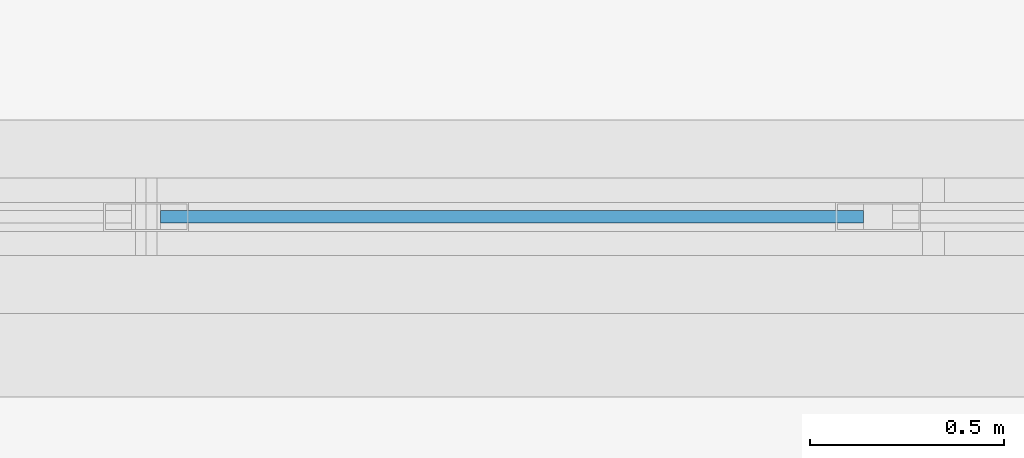
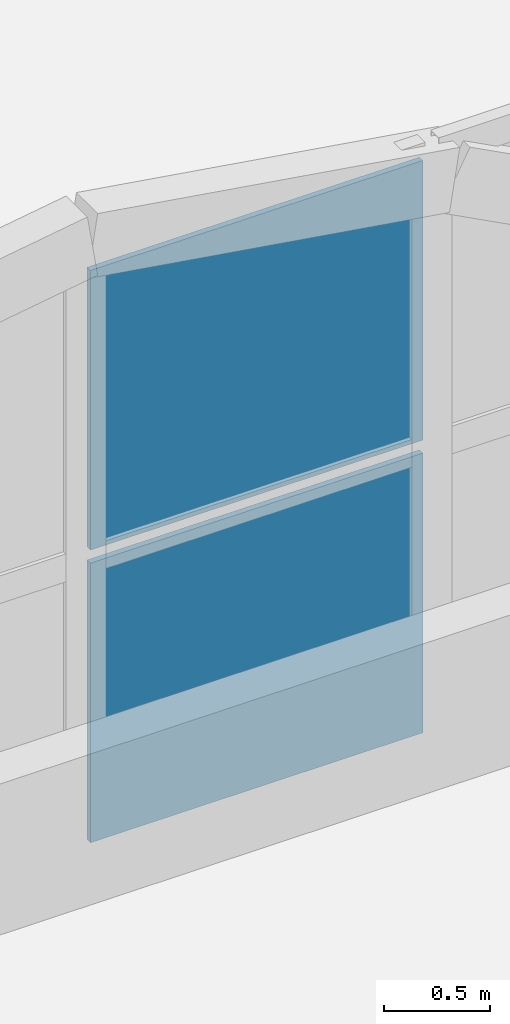
# One storey, part 84 of 129: 2 plates, 1 element without a shape of its own.
"""IFC4 building model written with IfcOpenShell, lengths in metres."""

from ifc_helpers import new_model, si_unit, direction, frame, origin, origin_2d, place, context, subcontext, project, spatial, rectangle, extrude, material, layer, layer_set, type_object, element, aggregate, save


model = new_model("IFC4")

# Units and contexts
model_context = context("Model", 3, precision=1e-05, world=origin(), true_north=direction((0.0, 1.0)))
body_context = subcontext(model_context, "Body", "Model", "MODEL_VIEW")
ifc_project = project(units=[si_unit("LENGTHUNIT", "METRE"), si_unit("AREAUNIT", "SQUARE_METRE"), si_unit("VOLUMEUNIT", "CUBIC_METRE"), si_unit("PLANEANGLEUNIT", "RADIAN"), si_unit("MASSUNIT", "GRAM", prefix="KILO")], contexts=[model_context])

# Site, building, storey
site_placement = place(None, origin())
site = spatial("IfcSite", under=ifc_project, at=site_placement, CompositionType="ELEMENT")
building_placement = place(site_placement, origin())
building = spatial("IfcBuilding", under=site, at=building_placement, Name="Xazarin Passage Department Store", CompositionType="ELEMENT")
storey_placement = place(building_placement, frame((0.0, 0.0, 9.89990234375)))
storey = spatial("IfcBuildingStorey", under=building, at=storey_placement, Name="L02", CompositionType="ELEMENT", Elevation=9.89990234375)

# Curtain wall, plates
ifc_material_1 = material(Name="Bronze anodised aluminium", Category="aluminium")
ifc_layer_1 = layer(ifc_material_1, 0.199951171875)
ifc_layer_set_1 = layer_set([ifc_layer_1], Name="Bronze anodised aluminium")
curtain_wall_type = type_object("IfcCurtainWallType", Name="ARC-CW-VIT2", PredefinedType="NOTDEFINED", material=ifc_layer_set_1)
curtain_wall_placement = place(storey_placement, origin())
curtain_wall = element("IfcCurtainWall", 1, at=curtain_wall_placement, inside=storey, type_object=curtain_wall_type, Name="L02 V1 Curtain Wall 030", PredefinedType="NOTDEFINED")
ifc_material_2 = material(Name="Low-E laminated safety glass", Category="glass")
ifc_layer_2 = layer(ifc_material_2, 0.031982421875)
ifc_layer_set_2 = layer_set([ifc_layer_2], Name="Low-E laminated safety glass")
plate_type = type_object("IfcPlateType", Name="ARC-CWP-GLZ32", PredefinedType="CURTAIN_PANEL", material=ifc_layer_set_2)
plate_1_placement = place(storey_placement, frame((13.543701171875, 59.60009765625, 0.0751953125), z_axis=(0.0, 0.0, 1.0), x_axis=(1.0, 0.0, 0.0)))
plate_1 = element("IfcPlate", 2, at=plate_1_placement, type_object=plate_type, Name="CW2 panel 3.1", PredefinedType="CURTAIN_PANEL", context=body_context, shape_type="SweptSolid", body=[
    extrude(rectangle(XDim=1.8125, YDim=0.031982421875, at=origin_2d()), origin(), (0.0, 0.0, 1.0), 1.612548828125),
])
plate_2_placement = place(storey_placement, frame((13.543701171875, 59.60009765625, 1.7626953125), z_axis=(0.0, 0.0, 1.0), x_axis=(1.0, 0.0, 0.0)))
plate_2 = element("IfcPlate", 3, at=plate_2_placement, type_object=plate_type, Name="CW2 panel 3.2", PredefinedType="CURTAIN_PANEL", context=body_context, shape_type="SweptSolid", body=[
    extrude(rectangle(XDim=1.8125, YDim=0.031982421875, at=origin_2d()), origin(), (0.0, 0.0, 1.0), 1.612548828125),
])
aggregate(curtain_wall, [plate_1, plate_2])

save(model, "model.ifc")
